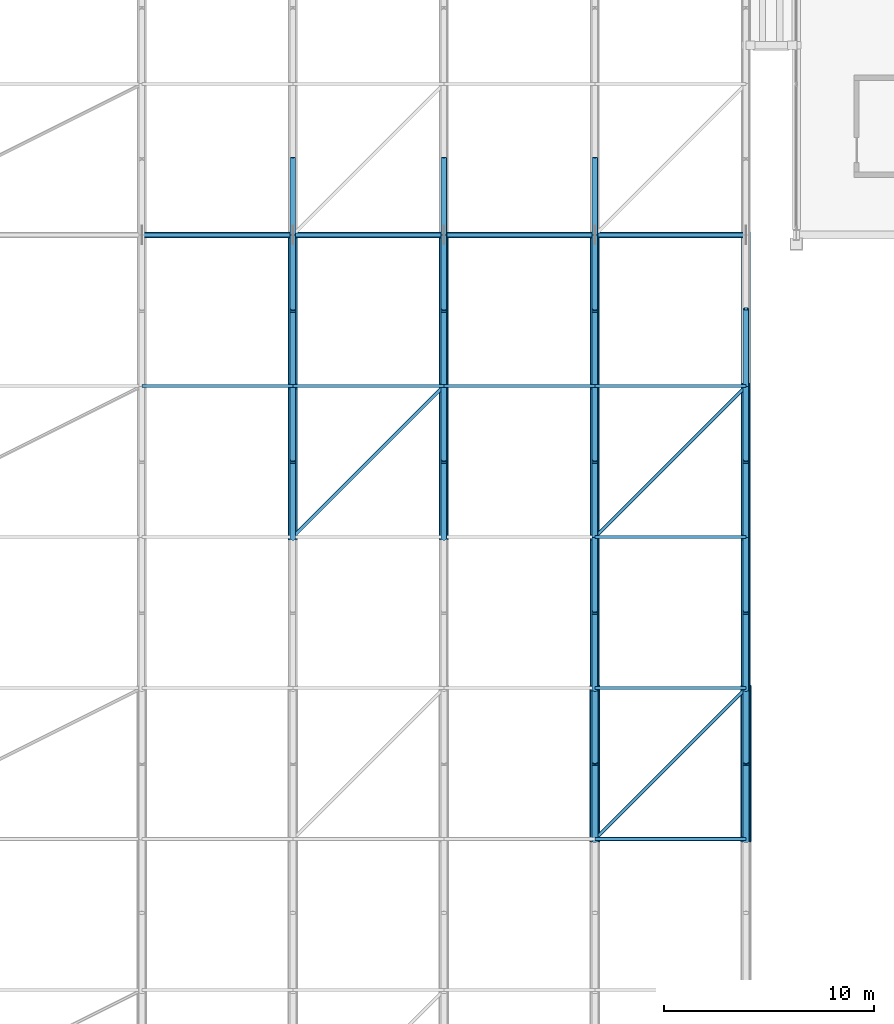
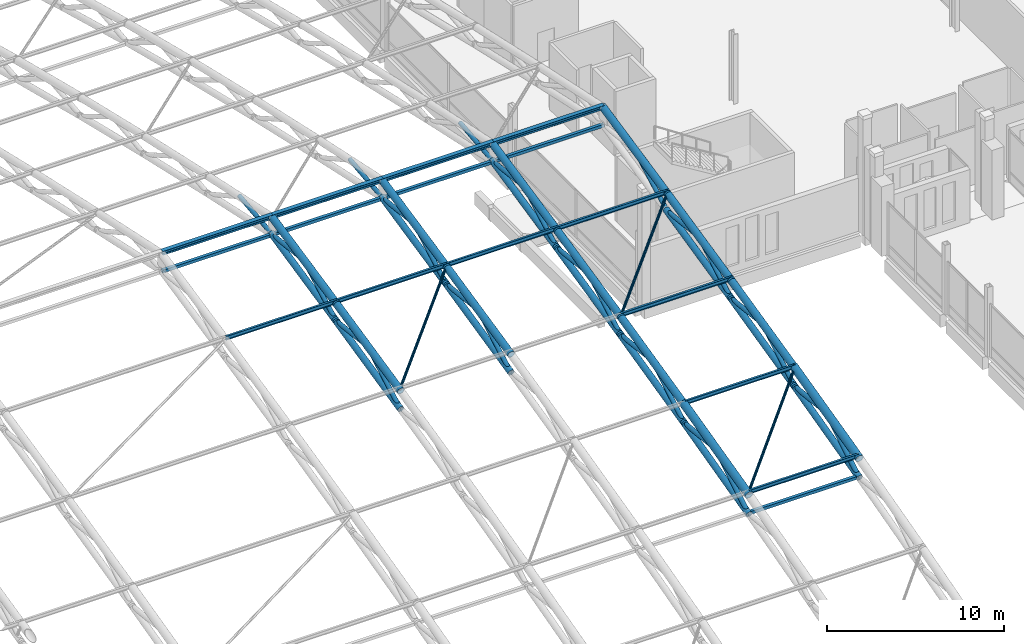
# One storey, part 47 of 193: 68 members.
"""IFC4 building model written with IfcOpenShell, lengths in metres."""

import ifcopenshell
import ifcopenshell.guid

model = None  # the IFC model being written
_history = None  # IfcOwnerHistory: only IFC2X3 demands one
_inside = {}  # id of a spatial element -> (the spatial element, [elements in it])
_under = {}  # id of a project, library or spatial element -> (it, [spatial elements below it])
_declared = {}  # id of a project -> (the project, [libraries it declares])
_typed = {}  # id of a type object -> (the type object, [elements of that type])
_made_of = {}  # id of a material, layer set ... -> (it, [elements and type objects made of it])


def new_model(schema):
    """Start an empty IFC model of exactly this schema.

    Asked for "IFC4X3", IfcOpenShell would pick the latest addendum, in which some entities
    have other attributes; the version numbers below select the first issue.
    IFC2X3 requires an IfcOwnerHistory on every rooted entity: one is made here for all.
    """
    global model, _history
    if schema == "IFC4X3":
        model = ifcopenshell.file(schema_version=(4, 3, 0, 0))
    else:
        model = ifcopenshell.file(schema=schema)
    _inside.clear()
    _under.clear()
    _declared.clear()
    _typed.clear()
    _made_of.clear()
    _history = None
    if model.schema == "IFC2X3":
        org = make("IfcOrganization", Name="unknown")
        user = make(
            "IfcPersonAndOrganization",
            ThePerson=make("IfcPerson", FamilyName="unknown"),
            TheOrganization=org,
        )
        app = make(
            "IfcApplication",
            ApplicationDeveloper=org,
            Version="unknown",
            ApplicationFullName="unknown",
            ApplicationIdentifier="unknown",
        )
        _history = make(
            "IfcOwnerHistory",
            OwningUser=user,
            OwningApplication=app,
            ChangeAction="ADDED",
            CreationDate=0,
        )
    return model


def make(cls, **values):
    """One entity of the class cls with the attributes given. An attribute that is None is left unset."""
    return model.create_entity(
        cls, **{name: value for name, value in values.items() if value is not None}
    )


def rooted(cls, **values):
    """An entity with a GlobalId (a new one), such as an element, a storey or a relation."""
    return make(cls, GlobalId=ifcopenshell.guid.new(), OwnerHistory=_history, **values)


def si_unit(unit_type, name, prefix=None):
    """IfcSIUnit, for example si_unit("LENGTHUNIT", "METRE", prefix="MILLI")."""
    return make("IfcSIUnit", UnitType=unit_type, Prefix=prefix, Name=name)


def assignment(units):
    """IfcUnitAssignment: the units of a project."""
    return None if units is None else make("IfcUnitAssignment", Units=units)


def point(xyz):
    """IfcCartesianPoint."""
    return None if xyz is None else make("IfcCartesianPoint", Coordinates=xyz)


def direction(xyz):
    """IfcDirection."""
    return None if xyz is None else make("IfcDirection", DirectionRatios=xyz)


def frame(location, z_axis=None, x_axis=None):
    """IfcAxis2Placement3D, a coordinate frame: its origin and axes. An axis left out is left unset."""
    return make(
        "IfcAxis2Placement3D",
        Location=point(location),
        Axis=direction(z_axis),
        RefDirection=direction(x_axis),
    )


def frame_2d(location, x_axis=None):
    """IfcAxis2Placement2D, a coordinate frame in the plane: its origin and x axis."""
    return make(
        "IfcAxis2Placement2D", Location=point(location), RefDirection=direction(x_axis)
    )


def origin():
    """The frame at (0, 0, 0) with its axes left unset."""
    return frame((0.0, 0.0, 0.0))


def origin_2d():
    """The frame at (0, 0) in the plane with its x axis left unset."""
    return frame_2d((0.0, 0.0))


def place(relative_to, where):
    """IfcLocalPlacement: puts the frame where relative to a parent placement (None: the world)."""
    return make(
        "IfcLocalPlacement", PlacementRelTo=relative_to, RelativePlacement=where
    )


def context(
    kind, dimensions, precision=None, world=None, true_north=None, identifier=None
):
    """IfcGeometricRepresentationContext, for example the 3D "Model" context."""
    return make(
        "IfcGeometricRepresentationContext",
        ContextIdentifier=identifier,
        ContextType=kind,
        CoordinateSpaceDimension=dimensions,
        Precision=precision,
        WorldCoordinateSystem=world,
        TrueNorth=true_north,
    )


def subcontext(parent, identifier, kind, view, scale=None):
    """IfcGeometricRepresentationSubContext, for example "Body" below "Model"."""
    return make(
        "IfcGeometricRepresentationSubContext",
        ContextIdentifier=identifier,
        ContextType=kind,
        ParentContext=parent,
        TargetScale=scale,
        TargetView=view,
    )


def project(units=None, contexts=None):
    """IfcProject with its units and contexts."""
    return rooted(
        "IfcProject",
        Name="project",
        RepresentationContexts=contexts,
        UnitsInContext=assignment(units),
    )


def spatial(cls, under=None, at=None, **own):
    """A site, building, storey or space (cls), placed at a placement, below another one or the project."""
    s = rooted(cls, ObjectPlacement=at, **own)
    if under is not None:
        _under.setdefault(under.id(), (under, []))[1].append(s)
    return s


def profile(cls, at=None, kind="AREA", **sizes):
    """A parametric profile (cls). Its sizes go by their IFC names, for example OverallWidth=200.0."""
    return make(cls, ProfileType=kind, Position=at, **sizes)


def hollow_rectangle(**sizes):
    """IfcRectangleHollowProfileDef."""
    return profile("IfcRectangleHollowProfileDef", **sizes)


def hollow_circle(**sizes):
    """IfcCircleHollowProfileDef."""
    return profile("IfcCircleHollowProfileDef", **sizes)


def i_section(**sizes):
    """IfcIShapeProfileDef."""
    return profile("IfcIShapeProfileDef", **sizes)


def extrude(swept, where, along, depth):
    """IfcExtrudedAreaSolid: the profile swept, set in the frame where, extruded along a direction by depth."""
    return make(
        "IfcExtrudedAreaSolid",
        SweptArea=swept,
        Position=where,
        ExtrudedDirection=direction(along),
        Depth=depth,
    )


def shape(context_of_items, identifier, shape_type, items):
    """IfcShapeRepresentation: the items that make up one representation, for example the "Body"."""
    return make(
        "IfcShapeRepresentation",
        ContextOfItems=context_of_items,
        RepresentationIdentifier=identifier,
        RepresentationType=shape_type,
        Items=items,
    )


def material(Name=None, Category=None):
    """IfcMaterial."""
    return make("IfcMaterial", Name=Name, Category=Category)


def material_profile(
    of_material, cross_section, Name=None, Category=None, Priority=None
):
    """IfcMaterialProfile: a cross section and its material."""
    return make(
        "IfcMaterialProfile",
        Name=Name,
        Material=of_material,
        Profile=cross_section,
        Priority=Priority,
        Category=Category,
    )


def profile_set(profiles, Name=None, composite=None):
    """IfcMaterialProfileSet."""
    return make(
        "IfcMaterialProfileSet",
        Name=Name,
        MaterialProfiles=profiles,
        CompositeProfile=composite,
    )


def made_of(thing, what):
    """Note that an element or type object is made of a material, layer set ...; save() writes the relation."""
    if what is not None:
        _made_of.setdefault(what.id(), (what, []))[1].append(thing)
    return thing


def type_object(cls, material=None, **own):
    """A type object (cls), such as IfcWallType, which elements share."""
    return made_of(rooted(cls, **own), material)


def element(
    cls,
    number,
    at=None,
    inside=None,
    cuts=None,
    type_object=None,
    material=None,
    context=None,
    identifier="Body",
    shape_type=None,
    held_by="IfcProductDefinitionShape",
    body=None,
    shapes=None,
    **own,
):
    """One element of the class cls, such as IfcWall. Its Tag is "e" and its number.

    at: its placement. inside: the storey or other place that contains it. cuts: it is an
    opening in that element (IfcRelVoidsElement). A single representation is given by context,
    identifier, shape_type and body (its items); several are given by shapes. held_by: the class
    of the entity that holds the representations. save() writes the other relations.
    """
    e = rooted(cls, Tag="e%d" % number, ObjectPlacement=at, **own)
    if body is not None:
        shapes = [shape(context, identifier, shape_type, body)]
    if shapes is not None:
        e.Representation = make(held_by, Representations=shapes)
    if inside is not None:
        _inside.setdefault(inside.id(), (inside, []))[1].append(e)
    if cuts is not None:
        rooted(
            "IfcRelVoidsElement", RelatingBuildingElement=cuts, RelatedOpeningElement=e
        )
    if type_object is not None:
        _typed.setdefault(type_object.id(), (type_object, []))[1].append(e)
    return made_of(e, material)


def aggregate(whole, parts):
    """IfcRelAggregates: a whole, such as a stair, and the parts it consists of."""
    return rooted("IfcRelAggregates", RelatingObject=whole, RelatedObjects=parts)


def save(model, path):
    """Write the relations noted so far, then the file.

    IfcRelAggregates (storeys below a building ...), IfcRelContainedInSpatialStructure (elements
    in a storey), IfcRelDefinesByType, IfcRelAssociatesMaterial and IfcRelDeclares: one each for
    every whole, place, type object, material and project.
    """
    for whole, parts in _under.values():
        aggregate(whole, parts)
    for where, things in _inside.values():
        rooted(
            "IfcRelContainedInSpatialStructure",
            RelatedElements=things,
            RelatingStructure=where,
        )
    for kind, things in _typed.values():
        rooted("IfcRelDefinesByType", RelatedObjects=things, RelatingType=kind)
    for what, things in _made_of.values():
        rooted("IfcRelAssociatesMaterial", RelatedObjects=things, RelatingMaterial=what)
    for by, libraries in _declared.values():
        rooted("IfcRelDeclares", RelatingContext=by, RelatedDefinitions=libraries)
    model.write(path)


model = new_model("IFC4")

# Units and contexts
model_context = context("Model", 3, precision=1e-05, world=origin(), true_north=direction((0.0, 1.0)))
body_context = subcontext(model_context, "Body", "Model", "MODEL_VIEW")
ifc_project = project(units=[si_unit("LENGTHUNIT", "METRE"), si_unit("AREAUNIT", "SQUARE_METRE"), si_unit("VOLUMEUNIT", "CUBIC_METRE"), si_unit("PLANEANGLEUNIT", "RADIAN"), si_unit("MASSUNIT", "GRAM", prefix="KILO")], contexts=[model_context])

# Site, building, storey
site_placement = place(None, origin())
site = spatial("IfcSite", under=ifc_project, at=site_placement, CompositionType="ELEMENT")
building_placement = place(site_placement, origin())
building = spatial("IfcBuilding", under=site, at=building_placement, Name="Cendralis Lancet Convention Centre", CompositionType="ELEMENT")
storey_placement = place(building_placement, frame((0.0, 0.0, 10.199951171875)))
storey = spatial("IfcBuildingStorey", under=building, at=storey_placement, Name="L02", CompositionType="ELEMENT", Elevation=10.199951171875)

# Members
ifc_material = material(Name="Steel S355", Category="steel")
ifc_material_profile_1 = material_profile(ifc_material, hollow_circle(Radius=0.084228515625, WallThickness=0.008056640625, at=origin_2d()), Name="CHS 168.3x8.0")
ifc_profile_set_1 = profile_set([ifc_material_profile_1], Name="Steel S355")
member_type_1 = type_object("IfcMemberType", Name="STR-BR-RB01", PredefinedType="BRACE", material=ifc_profile_set_1)
member_1_placement = place(storey_placement, frame((100.800048828125, 79.199951171875, 11.056884765625), z_axis=(0.698500909513, 0.698500909513, 0.155540859), x_axis=(-0.707106781187, 0.707106781187, 0.0)))
element("IfcMember", 1, at=member_1_placement, inside=storey, type_object=member_type_1, Name="Roof Diaphragm Brace RB01 V1-11-04A", PredefinedType="BRACE", context=body_context, shape_type="SweptSolid", body=[
    extrude(hollow_circle(Radius=0.084228515625, WallThickness=0.008056640625, at=origin_2d()), origin(), (0.0, 0.0, 1.0), 10.3076171875),
])
member_2_placement = place(storey_placement, frame((115.199951171875, 64.800048828125, 7.576416015625), z_axis=(0.696392758522, 0.696392758522, 0.173419294652), x_axis=(-0.707106781187, 0.707106781187, 0.0)))
element("IfcMember", 2, at=member_2_placement, inside=storey, type_object=member_type_1, Name="Roof Diaphragm Brace RB01 V1-13-02A", PredefinedType="BRACE", context=body_context, shape_type="SweptSolid", body=[
    extrude(hollow_circle(Radius=0.084228515625, WallThickness=0.008056640625, at=origin_2d()), origin(), (0.0, 0.0, 1.0), 10.3388671875),
])
member_3_placement = place(storey_placement, frame((115.199951171875, 79.199951171875, 11.056884765625), z_axis=(0.698500909513, 0.698500909513, 0.155540859), x_axis=(-0.707106781187, 0.707106781187, 0.0)))
element("IfcMember", 3, at=member_3_placement, inside=storey, type_object=member_type_1, Name="Roof Diaphragm Brace RB01 V1-13-04A", PredefinedType="BRACE", context=body_context, shape_type="SweptSolid", body=[
    extrude(hollow_circle(Radius=0.084228515625, WallThickness=0.008056640625, at=origin_2d()), origin(), (0.0, 0.0, 1.0), 10.3076171875),
])
ifc_material_profile_2 = material_profile(ifc_material, hollow_rectangle(XDim=0.199951171875, YDim=0.199951171875, WallThickness=0.010009765625, at=origin_2d()), Name="SHS 200x200x10.0")
ifc_profile_set_2 = profile_set([ifc_material_profile_2], Name="Steel S355")
member_type_2 = type_object("IfcMemberType", Name="STR-BR-ST01", PredefinedType="STRUT", material=ifc_profile_set_2)
for number, where, z_axis, x_axis, name in (
    (4, (93.60009765625, 93.60009765625, 13.024169921875), (1.0, 0.0, 0.0), (0.0, 1.0, 0.0), "Arch Tie Strut ST01 V1-10-06"),
    (5, (100.800048828125, 93.60009765625, 13.024169921875), (1.0, 0.0, 0.0), (0.0, 1.0, 0.0), "Arch Tie Strut ST01 V1-11-06"),
    (6, (108.0, 93.60009765625, 13.024169921875), (1.0, 0.0, 0.0), (0.0, 1.0, 0.0), "Arch Tie Strut ST01 V1-12-06"),
    (7, (115.199951171875, 64.800048828125, 6.2509765625), (1.0, 0.0, 0.0), (0.0, 1.0, 0.0), "Arch Tie Strut ST01 V1-13-02"),
    (8, (115.199951171875, 93.60009765625, 13.024169921875), (1.0, 0.0, 0.0), (0.0, 1.0, 0.0), "Arch Tie Strut ST01 V1-13-06"),
):
    element("IfcMember", number, at=place(storey_placement, frame(where, z_axis=z_axis, x_axis=x_axis)), inside=storey, type_object=member_type_2, Name=name, PredefinedType="STRUT", context=body_context, shape_type="SweptSolid", body=[
        extrude(hollow_rectangle(XDim=0.199951171875, YDim=0.199951171875, WallThickness=0.010009765625, at=origin_2d()), origin(), (0.0, 0.0, 1.0), 7.199951171875),
    ])
ifc_material_profile_3 = material_profile(ifc_material, i_section(OverallWidth=0.135009765625, OverallDepth=0.27001953125, WebThickness=0.006591796875, FlangeThickness=0.01025390625, FilletRadius=0.014892578125, at=origin_2d()), Name="IPE 270")
ifc_profile_set_3 = profile_set([ifc_material_profile_3], Name="Steel S355")
member_type_3 = type_object("IfcMemberType", Name="STR-PR-PR01", PredefinedType="PURLIN", material=ifc_profile_set_3)
for number, where, z_axis, x_axis, name in (
    (9, (93.60009765625, 86.39990234375, 12.775146484375), (1.0, 0.0, 0.0), (0.0, 1.0, 0.0), "Vault Roof Purlin PR01 V1-10-05"),
    (10, (100.800048828125, 86.39990234375, 12.775146484375), (1.0, 0.0, 0.0), (0.0, 1.0, 0.0), "Vault Roof Purlin PR01 V1-11-05"),
    (11, (108.0, 86.39990234375, 12.775146484375), (1.0, 0.0, 0.0), (0.0, 1.0, 0.0), "Vault Roof Purlin PR01 V1-12-05"),
    (12, (115.199951171875, 64.800048828125, 7.69140625), (1.0, 0.0, 0.0), (0.0, 1.0, 0.0), "Vault Roof Purlin PR01 V1-13-02"),
    (13, (115.199951171875, 72.0, 9.484375), (1.0, 0.0, 0.0), (0.0, 1.0, 0.0), "Vault Roof Purlin PR01 V1-13-03"),
    (14, (115.199951171875, 79.199951171875, 11.171875), (1.0, 0.0, 0.0), (0.0, 1.0, 0.0), "Vault Roof Purlin PR01 V1-13-04"),
    (15, (115.199951171875, 86.39990234375, 12.775146484375), (1.0, 0.0, 0.0), (0.0, 1.0, 0.0), "Vault Roof Purlin PR01 V1-13-05"),
):
    element("IfcMember", number, at=place(storey_placement, frame(where, z_axis=z_axis, x_axis=x_axis)), inside=storey, type_object=member_type_3, Name=name, PredefinedType="PURLIN", context=body_context, shape_type="SweptSolid", body=[
        extrude(i_section(OverallWidth=0.135009765625, OverallDepth=0.27001953125, WebThickness=0.006591796875, FlangeThickness=0.01025390625, FilletRadius=0.014892578125, at=origin_2d()), origin(), (0.0, 0.0, 1.0), 7.199951171875),
    ])
ifc_material_profile_4 = material_profile(ifc_material, i_section(OverallWidth=0.280029296875, OverallDepth=0.27001953125, WebThickness=0.008056640625, FlangeThickness=0.012939453125, FilletRadius=0.02392578125, at=origin_2d()), Name="HEA 280")
ifc_profile_set_4 = profile_set([ifc_material_profile_4], Name="Steel S355")
member_type_4 = type_object("IfcMemberType", Name="STR-PR-PR06", PredefinedType="PURLIN", material=ifc_profile_set_4)
for number, where, z_axis, x_axis, name in (
    (16, (93.60009765625, 93.60009765625, 14.31494140625), (1.0, 0.0, 0.0), (0.0, 1.0, 0.0), "Vault Roof Purlin PR06 V1-10-06"),
    (17, (100.800048828125, 93.60009765625, 14.31494140625), (1.0, 0.0, 0.0), (0.0, 1.0, 0.0), "Vault Roof Purlin PR06 V1-11-06"),
    (18, (108.0, 93.60009765625, 14.31494140625), (1.0, 0.0, 0.0), (0.0, 1.0, 0.0), "Vault Roof Purlin PR06 V1-12-06"),
    (19, (115.199951171875, 93.60009765625, 14.31494140625), (1.0, 0.0, 0.0), (0.0, 1.0, 0.0), "Vault Roof Purlin PR06 V1-13-06"),
):
    element("IfcMember", number, at=place(storey_placement, frame(where, z_axis=z_axis, x_axis=x_axis)), inside=storey, type_object=member_type_4, Name=name, PredefinedType="PURLIN", context=body_context, shape_type="SweptSolid", body=[
        extrude(i_section(OverallWidth=0.280029296875, OverallDepth=0.27001953125, WebThickness=0.008056640625, FlangeThickness=0.012939453125, FilletRadius=0.02392578125, at=origin_2d()), origin(), (0.0, 0.0, 1.0), 7.199951171875),
    ])
ifc_material_profile_5 = material_profile(ifc_material, hollow_circle(Radius=0.203125, WallThickness=0.01611328125, at=origin_2d()), Name="CHS 406.4x16.0")
ifc_profile_set_5 = profile_set([ifc_material_profile_5], Name="Steel S355")
member_type_5 = type_object("IfcMemberType", Name="STR-TR-BC01", PredefinedType="CHORD", material=ifc_profile_set_5)
member_4_placement = place(storey_placement, frame((122.39990234375, 64.68359375, 6.221435546875), z_axis=(0.0, 0.969168531094, 0.246398779092), x_axis=(-1.0, 0.0, 0.0)))
element("IfcMember", 20, at=member_4_placement, inside=storey, type_object=member_type_5, Name="ROOF TRUSS AT-V1-15 Bottom Chord 02", PredefinedType="CHORD", context=body_context, shape_type="SweptSolid", body=[
    extrude(hollow_circle(Radius=0.203125, WallThickness=0.01611328125, at=origin_2d()), origin(), (0.0, 0.0, 1.0), 7.6689453125),
])
member_5_placement = place(storey_placement, frame((122.39990234375, 71.88330078125, 8.053466796875), z_axis=(0.0, 0.97248347478, 0.232971868002), x_axis=(-1.0, 0.0, 0.0)))
element("IfcMember", 21, at=member_5_placement, inside=storey, type_object=member_type_5, Name="ROOF TRUSS AT-V1-15 Bottom Chord 03", PredefinedType="CHORD", context=body_context, shape_type="SweptSolid", body=[
    extrude(hollow_circle(Radius=0.203125, WallThickness=0.01611328125, at=origin_2d()), origin(), (0.0, 0.0, 1.0), 7.643798828125),
])
member_6_placement = place(storey_placement, frame((122.39990234375, 79.0830078125, 9.779541015625), z_axis=(0.0, 0.975004361287, 0.222185722922), x_axis=(-1.0, 0.0, 0.0)))
element("IfcMember", 22, at=member_6_placement, inside=storey, type_object=member_type_5, Name="ROOF TRUSS AT-V1-15 Bottom Chord 04", PredefinedType="CHORD", context=body_context, shape_type="SweptSolid", body=[
    extrude(hollow_circle(Radius=0.203125, WallThickness=0.01611328125, at=origin_2d()), origin(), (0.0, 0.0, 1.0), 7.624755859375),
])
ifc_material_profile_6 = material_profile(ifc_material, hollow_circle(Radius=0.203125, WallThickness=0.01611328125, at=origin_2d()), Name="CHS 406.4x16.0")
ifc_profile_set_6 = profile_set([ifc_material_profile_6], Name="Steel S355")
member_type_6 = type_object("IfcMemberType", Name="STR-TR-BC01-INT", PredefinedType="CHORD", material=ifc_profile_set_6)
member_7_placement = place(storey_placement, frame((100.800048828125, 79.0830078125, 9.779541015625), z_axis=(0.0, 0.975004361287, 0.222185722922), x_axis=(-1.0, 0.0, 0.0)))
element("IfcMember", 23, at=member_7_placement, inside=storey, type_object=member_type_6, Name="ROOF TRUSS AT-V1-12 Bottom Chord 04", PredefinedType="CHORD", context=body_context, shape_type="SweptSolid", body=[
    extrude(hollow_circle(Radius=0.203125, WallThickness=0.01611328125, at=origin_2d()), origin(), (0.0, 0.0, 1.0), 7.624755859375),
])
member_8_placement = place(storey_placement, frame((100.800048828125, 86.28271484375, 11.421142578125), z_axis=(0.0, 0.976835518251, 0.213991519186), x_axis=(-1.0, 0.0, 0.0)))
element("IfcMember", 24, at=member_8_placement, inside=storey, type_object=member_type_6, Name="ROOF TRUSS AT-V1-12 Bottom Chord 05", PredefinedType="CHORD", context=body_context, shape_type="SweptSolid", body=[
    extrude(hollow_circle(Radius=0.203125, WallThickness=0.01611328125, at=origin_2d()), origin(), (0.0, 0.0, 1.0), 7.61083984375),
])
member_9_placement = place(storey_placement, frame((108.0, 79.0830078125, 9.779541015625), z_axis=(0.0, 0.975004361287, 0.222185722922), x_axis=(-1.0, 0.0, 0.0)))
element("IfcMember", 25, at=member_9_placement, inside=storey, type_object=member_type_6, Name="ROOF TRUSS AT-V1-13 Bottom Chord 04", PredefinedType="CHORD", context=body_context, shape_type="SweptSolid", body=[
    extrude(hollow_circle(Radius=0.203125, WallThickness=0.01611328125, at=origin_2d()), origin(), (0.0, 0.0, 1.0), 7.624755859375),
])
member_10_placement = place(storey_placement, frame((108.0, 86.28271484375, 11.421142578125), z_axis=(0.0, 0.976835518251, 0.213991519186), x_axis=(-1.0, 0.0, 0.0)))
element("IfcMember", 26, at=member_10_placement, inside=storey, type_object=member_type_6, Name="ROOF TRUSS AT-V1-13 Bottom Chord 05", PredefinedType="CHORD", context=body_context, shape_type="SweptSolid", body=[
    extrude(hollow_circle(Radius=0.203125, WallThickness=0.01611328125, at=origin_2d()), origin(), (0.0, 0.0, 1.0), 7.61083984375),
])
member_11_placement = place(storey_placement, frame((115.199951171875, 64.68359375, 6.221435546875), z_axis=(0.0, 0.969168531094, 0.246398779092), x_axis=(-1.0, 0.0, 0.0)))
element("IfcMember", 27, at=member_11_placement, inside=storey, type_object=member_type_6, Name="ROOF TRUSS AT-V1-14 Bottom Chord 02", PredefinedType="CHORD", context=body_context, shape_type="SweptSolid", body=[
    extrude(hollow_circle(Radius=0.203125, WallThickness=0.01611328125, at=origin_2d()), origin(), (0.0, 0.0, 1.0), 7.6689453125),
])
member_12_placement = place(storey_placement, frame((115.199951171875, 71.88330078125, 8.053466796875), z_axis=(0.0, 0.97248347478, 0.232971868002), x_axis=(-1.0, 0.0, 0.0)))
element("IfcMember", 28, at=member_12_placement, inside=storey, type_object=member_type_6, Name="ROOF TRUSS AT-V1-14 Bottom Chord 03", PredefinedType="CHORD", context=body_context, shape_type="SweptSolid", body=[
    extrude(hollow_circle(Radius=0.203125, WallThickness=0.01611328125, at=origin_2d()), origin(), (0.0, 0.0, 1.0), 7.643798828125),
])
member_13_placement = place(storey_placement, frame((115.199951171875, 79.0830078125, 9.779541015625), z_axis=(0.0, 0.975004361287, 0.222185722922), x_axis=(-1.0, 0.0, 0.0)))
element("IfcMember", 29, at=member_13_placement, inside=storey, type_object=member_type_6, Name="ROOF TRUSS AT-V1-14 Bottom Chord 04", PredefinedType="CHORD", context=body_context, shape_type="SweptSolid", body=[
    extrude(hollow_circle(Radius=0.203125, WallThickness=0.01611328125, at=origin_2d()), origin(), (0.0, 0.0, 1.0), 7.624755859375),
])
member_14_placement = place(storey_placement, frame((115.199951171875, 86.28271484375, 11.421142578125), z_axis=(0.0, 0.976835518251, 0.213991519186), x_axis=(-1.0, 0.0, 0.0)))
element("IfcMember", 30, at=member_14_placement, inside=storey, type_object=member_type_6, Name="ROOF TRUSS AT-V1-14 Bottom Chord 05", PredefinedType="CHORD", context=body_context, shape_type="SweptSolid", body=[
    extrude(hollow_circle(Radius=0.203125, WallThickness=0.01611328125, at=origin_2d()), origin(), (0.0, 0.0, 1.0), 7.61083984375),
])
ifc_material_profile_7 = material_profile(ifc_material, hollow_circle(Radius=0.25390625, WallThickness=0.02001953125, at=origin_2d()), Name="CHS 508.0x20.0")
ifc_profile_set_7 = profile_set([ifc_material_profile_7], Name="Steel S355")
member_type_7 = type_object("IfcMemberType", Name="STR-TR-TC01", PredefinedType="CHORD", material=ifc_profile_set_7)
member_15_placement = place(storey_placement, frame((122.39990234375, 64.68359375, 7.54736328125), z_axis=(0.0, 0.97036146187, 0.241658091769), x_axis=(-1.0, 0.0, 0.0)))
element("IfcMember", 31, at=member_15_placement, inside=storey, type_object=member_type_7, Name="ROOF TRUSS AT-V1-15 Top Chord 02", PredefinedType="CHORD", context=body_context, shape_type="SweptSolid", body=[
    extrude(hollow_circle(Radius=0.25390625, WallThickness=0.02001953125, at=origin_2d()), origin(), (0.0, 0.0, 1.0), 7.659912109375),
])
ifc_material_profile_8 = material_profile(ifc_material, hollow_circle(Radius=0.25390625, WallThickness=0.02001953125, at=origin_2d()), Name="CHS 508.0x20.0")
ifc_profile_set_8 = profile_set([ifc_material_profile_8], Name="Steel S355")
member_type_8 = type_object("IfcMemberType", Name="STR-TR-TC01-INT", PredefinedType="CHORD", material=ifc_profile_set_8)
member_16_placement = place(storey_placement, frame((115.199951171875, 64.68359375, 7.54736328125), z_axis=(0.0, 0.97036146187, 0.241658091769), x_axis=(-1.0, 0.0, 0.0)))
element("IfcMember", 32, at=member_16_placement, inside=storey, type_object=member_type_8, Name="ROOF TRUSS AT-V1-14 Top Chord 02", PredefinedType="CHORD", context=body_context, shape_type="SweptSolid", body=[
    extrude(hollow_circle(Radius=0.25390625, WallThickness=0.02001953125, at=origin_2d()), origin(), (0.0, 0.0, 1.0), 7.659912109375),
])
ifc_material_profile_9 = material_profile(ifc_material, hollow_circle(Radius=0.228515625, WallThickness=0.02001953125, at=origin_2d()), Name="CHS 457.0x20.0")
ifc_profile_set_9 = profile_set([ifc_material_profile_9], Name="Steel S355")
member_type_9 = type_object("IfcMemberType", Name="STR-TR-TC01B", PredefinedType="CHORD", material=ifc_profile_set_9)
member_17_placement = place(storey_placement, frame((122.39990234375, 71.88330078125, 9.342041015625), z_axis=(0.0, 0.973618086595, 0.22818374494), x_axis=(-1.0, 0.0, 0.0)))
element("IfcMember", 33, at=member_17_placement, inside=storey, type_object=member_type_9, Name="ROOF TRUSS AT-V1-15 Top Chord 03", PredefinedType="CHORD", context=body_context, shape_type="SweptSolid", body=[
    extrude(hollow_circle(Radius=0.228515625, WallThickness=0.02001953125, at=origin_2d()), origin(), (0.0, 0.0, 1.0), 7.635009765625),
])
member_18_placement = place(storey_placement, frame((122.39990234375, 79.0830078125, 11.03076171875), z_axis=(0.0, 0.976089664154, 0.217368276277), x_axis=(-1.0, 0.0, 0.0)))
element("IfcMember", 34, at=member_18_placement, inside=storey, type_object=member_type_9, Name="ROOF TRUSS AT-V1-15 Top Chord 04", PredefinedType="CHORD", context=body_context, shape_type="SweptSolid", body=[
    extrude(hollow_circle(Radius=0.228515625, WallThickness=0.02001953125, at=origin_2d()), origin(), (0.0, 0.0, 1.0), 7.6162109375),
])
member_19_placement = place(storey_placement, frame((122.39990234375, 86.28271484375, 12.635009765625), z_axis=(0.0, 0.97788410853, 0.209147484528), x_axis=(-1.0, 0.0, 0.0)))
element("IfcMember", 35, at=member_19_placement, inside=storey, type_object=member_type_9, Name="ROOF TRUSS AT-V1-15 Top Chord 05", PredefinedType="CHORD", context=body_context, shape_type="SweptSolid", body=[
    extrude(hollow_circle(Radius=0.228515625, WallThickness=0.02001953125, at=origin_2d()), origin(), (0.0, 0.0, 1.0), 7.602783203125),
])
ifc_material_profile_10 = material_profile(ifc_material, hollow_circle(Radius=0.228515625, WallThickness=0.02001953125, at=origin_2d()), Name="CHS 457.0x20.0")
ifc_profile_set_10 = profile_set([ifc_material_profile_10], Name="Steel S355")
member_type_10 = type_object("IfcMemberType", Name="STR-TR-TC01B-INT", PredefinedType="CHORD", material=ifc_profile_set_10)
member_20_placement = place(storey_placement, frame((100.800048828125, 79.0830078125, 11.03076171875), z_axis=(0.0, 0.976089664154, 0.217368276277), x_axis=(-1.0, 0.0, 0.0)))
element("IfcMember", 36, at=member_20_placement, inside=storey, type_object=member_type_10, Name="ROOF TRUSS AT-V1-12 Top Chord 04", PredefinedType="CHORD", context=body_context, shape_type="SweptSolid", body=[
    extrude(hollow_circle(Radius=0.228515625, WallThickness=0.02001953125, at=origin_2d()), origin(), (0.0, 0.0, 1.0), 7.6162109375),
])
member_21_placement = place(storey_placement, frame((100.800048828125, 86.28271484375, 12.635009765625), z_axis=(0.0, 0.97788410853, 0.209147484528), x_axis=(-1.0, 0.0, 0.0)))
element("IfcMember", 37, at=member_21_placement, inside=storey, type_object=member_type_10, Name="ROOF TRUSS AT-V1-12 Top Chord 05", PredefinedType="CHORD", context=body_context, shape_type="SweptSolid", body=[
    extrude(hollow_circle(Radius=0.228515625, WallThickness=0.02001953125, at=origin_2d()), origin(), (0.0, 0.0, 1.0), 7.602783203125),
])
member_22_placement = place(storey_placement, frame((108.0, 79.0830078125, 11.03076171875), z_axis=(0.0, 0.976089664154, 0.217368276277), x_axis=(-1.0, 0.0, 0.0)))
element("IfcMember", 38, at=member_22_placement, inside=storey, type_object=member_type_10, Name="ROOF TRUSS AT-V1-13 Top Chord 04", PredefinedType="CHORD", context=body_context, shape_type="SweptSolid", body=[
    extrude(hollow_circle(Radius=0.228515625, WallThickness=0.02001953125, at=origin_2d()), origin(), (0.0, 0.0, 1.0), 7.6162109375),
])
member_23_placement = place(storey_placement, frame((108.0, 86.28271484375, 12.635009765625), z_axis=(0.0, 0.97788410853, 0.209147484528), x_axis=(-1.0, 0.0, 0.0)))
element("IfcMember", 39, at=member_23_placement, inside=storey, type_object=member_type_10, Name="ROOF TRUSS AT-V1-13 Top Chord 05", PredefinedType="CHORD", context=body_context, shape_type="SweptSolid", body=[
    extrude(hollow_circle(Radius=0.228515625, WallThickness=0.02001953125, at=origin_2d()), origin(), (0.0, 0.0, 1.0), 7.602783203125),
])
member_24_placement = place(storey_placement, frame((115.199951171875, 71.88330078125, 9.342041015625), z_axis=(0.0, 0.973618086595, 0.22818374494), x_axis=(-1.0, 0.0, 0.0)))
element("IfcMember", 40, at=member_24_placement, inside=storey, type_object=member_type_10, Name="ROOF TRUSS AT-V1-14 Top Chord 03", PredefinedType="CHORD", context=body_context, shape_type="SweptSolid", body=[
    extrude(hollow_circle(Radius=0.228515625, WallThickness=0.02001953125, at=origin_2d()), origin(), (0.0, 0.0, 1.0), 7.635009765625),
])
member_25_placement = place(storey_placement, frame((115.199951171875, 79.0830078125, 11.03076171875), z_axis=(0.0, 0.976089664154, 0.217368276277), x_axis=(-1.0, 0.0, 0.0)))
element("IfcMember", 41, at=member_25_placement, inside=storey, type_object=member_type_10, Name="ROOF TRUSS AT-V1-14 Top Chord 04", PredefinedType="CHORD", context=body_context, shape_type="SweptSolid", body=[
    extrude(hollow_circle(Radius=0.228515625, WallThickness=0.02001953125, at=origin_2d()), origin(), (0.0, 0.0, 1.0), 7.6162109375),
])
member_26_placement = place(storey_placement, frame((115.199951171875, 86.28271484375, 12.635009765625), z_axis=(0.0, 0.97788410853, 0.209147484528), x_axis=(-1.0, 0.0, 0.0)))
element("IfcMember", 42, at=member_26_placement, inside=storey, type_object=member_type_10, Name="ROOF TRUSS AT-V1-14 Top Chord 05", PredefinedType="CHORD", context=body_context, shape_type="SweptSolid", body=[
    extrude(hollow_circle(Radius=0.228515625, WallThickness=0.02001953125, at=origin_2d()), origin(), (0.0, 0.0, 1.0), 7.602783203125),
])
ifc_material_profile_11 = material_profile(ifc_material, hollow_circle(Radius=0.149169921875, WallThickness=0.012451171875, at=origin_2d()), Name="CHS 298.5x12.5")
ifc_profile_set_11 = profile_set([ifc_material_profile_11], Name="Steel S355")
member_type_11 = type_object("IfcMemberType", Name="STR-TR-WD01", PredefinedType="BRACE", material=ifc_profile_set_11)
member_27_placement = place(storey_placement, frame((122.39990234375, 64.71484375, 6.198486328125), z_axis=(0.0, 0.850978373815, 0.525200730482), x_axis=(-1.0, 0.0, 0.0)))
element("IfcMember", 43, at=member_27_placement, inside=storey, type_object=member_type_11, Name="ROOF TRUSS AT-V1-15 Warren Web 02-0", PredefinedType="BRACE", context=body_context, shape_type="SweptSolid", body=[
    extrude(hollow_circle(Radius=0.149169921875, WallThickness=0.012451171875, at=origin_2d()), origin(), (0.0, 0.0, 1.0), 4.430419921875),
])
member_28_placement = place(storey_placement, frame((122.39990234375, 68.300537109375, 8.483642578125), z_axis=(0.0, 0.994139687453, -0.108103107402), x_axis=(-1.0, 0.0, 0.0)))
element("IfcMember", 44, at=member_28_placement, inside=storey, type_object=member_type_11, Name="ROOF TRUSS AT-V1-15 Warren Web 02-1", PredefinedType="BRACE", context=body_context, shape_type="SweptSolid", body=[
    extrude(hollow_circle(Radius=0.149169921875, WallThickness=0.012451171875, at=origin_2d()), origin(), (0.0, 0.0, 1.0), 3.8212890625),
])
ifc_material_profile_12 = material_profile(ifc_material, hollow_circle(Radius=0.149169921875, WallThickness=0.012451171875, at=origin_2d()), Name="CHS 298.5x12.5")
ifc_profile_set_12 = profile_set([ifc_material_profile_12], Name="Steel S355")
member_type_12 = type_object("IfcMemberType", Name="STR-TR-WD01-INT", PredefinedType="BRACE", material=ifc_profile_set_12)
member_29_placement = place(storey_placement, frame((115.199951171875, 64.71484375, 6.198486328125), z_axis=(0.0, 0.850978373815, 0.525200730482), x_axis=(-1.0, 0.0, 0.0)))
element("IfcMember", 45, at=member_29_placement, inside=storey, type_object=member_type_12, Name="ROOF TRUSS AT-V1-14 Warren Web 02-0", PredefinedType="BRACE", context=body_context, shape_type="SweptSolid", body=[
    extrude(hollow_circle(Radius=0.149169921875, WallThickness=0.012451171875, at=origin_2d()), origin(), (0.0, 0.0, 1.0), 4.430419921875),
])
member_30_placement = place(storey_placement, frame((115.199951171875, 68.300537109375, 8.483642578125), z_axis=(0.0, 0.994139687453, -0.108103107402), x_axis=(-1.0, 0.0, 0.0)))
element("IfcMember", 46, at=member_30_placement, inside=storey, type_object=member_type_12, Name="ROOF TRUSS AT-V1-14 Warren Web 02-1", PredefinedType="BRACE", context=body_context, shape_type="SweptSolid", body=[
    extrude(hollow_circle(Radius=0.149169921875, WallThickness=0.012451171875, at=origin_2d()), origin(), (0.0, 0.0, 1.0), 3.8212890625),
])
ifc_material_profile_13 = material_profile(ifc_material, hollow_circle(Radius=0.136474609375, WallThickness=0.012451171875, at=origin_2d()), Name="CHS 273.0x12.5")
ifc_profile_set_13 = profile_set([ifc_material_profile_13], Name="Steel S355")
member_type_13 = type_object("IfcMemberType", Name="STR-TR-WD01B", PredefinedType="BRACE", material=ifc_profile_set_13)
member_31_placement = place(storey_placement, frame((122.39990234375, 71.9140625, 8.030517578125), z_axis=(0.0, 0.860451614668, 0.509532156802), x_axis=(-1.0, 0.0, 0.0)))
element("IfcMember", 47, at=member_31_placement, inside=storey, type_object=member_type_13, Name="ROOF TRUSS AT-V1-15 Warren Web 03-0", PredefinedType="BRACE", context=body_context, shape_type="SweptSolid", body=[
    extrude(hollow_circle(Radius=0.136474609375, WallThickness=0.012451171875, at=origin_2d()), origin(), (0.0, 0.0, 1.0), 4.3837890625),
])
member_32_placement = place(storey_placement, frame((122.39990234375, 75.50048828125, 10.224365234375), z_axis=(0.0, 0.993677994269, -0.112267732257), x_axis=(-1.0, 0.0, 0.0)))
element("IfcMember", 48, at=member_32_placement, inside=storey, type_object=member_type_13, Name="ROOF TRUSS AT-V1-15 Warren Web 03-1", PredefinedType="BRACE", context=body_context, shape_type="SweptSolid", body=[
    extrude(hollow_circle(Radius=0.136474609375, WallThickness=0.012451171875, at=origin_2d()), origin(), (0.0, 0.0, 1.0), 3.822998046875),
])
member_33_placement = place(storey_placement, frame((122.39990234375, 79.113037109375, 9.7568359375), z_axis=(0.0, 0.86877872096, 0.495200498795), x_axis=(-1.0, 0.0, 0.0)))
element("IfcMember", 49, at=member_33_placement, inside=storey, type_object=member_type_13, Name="ROOF TRUSS AT-V1-15 Warren Web 04-0", PredefinedType="BRACE", context=body_context, shape_type="SweptSolid", body=[
    extrude(hollow_circle(Radius=0.136474609375, WallThickness=0.012451171875, at=origin_2d()), origin(), (0.0, 0.0, 1.0), 4.343994140625),
])
member_34_placement = place(storey_placement, frame((122.39990234375, 82.70068359375, 11.869873046875), z_axis=(0.0, 0.993527526481, -0.113591611157), x_axis=(-1.0, 0.0, 0.0)))
element("IfcMember", 50, at=member_34_placement, inside=storey, type_object=member_type_13, Name="ROOF TRUSS AT-V1-15 Warren Web 04-1", PredefinedType="BRACE", context=body_context, shape_type="SweptSolid", body=[
    extrude(hollow_circle(Radius=0.136474609375, WallThickness=0.012451171875, at=origin_2d()), origin(), (0.0, 0.0, 1.0), 3.823486328125),
])
member_35_placement = place(storey_placement, frame((122.39990234375, 86.3125, 11.3984375), z_axis=(0.0, 0.875872457449, 0.48254268027), x_axis=(-1.0, 0.0, 0.0)))
element("IfcMember", 51, at=member_35_placement, inside=storey, type_object=member_type_13, Name="ROOF TRUSS AT-V1-15 Warren Web 05-0", PredefinedType="BRACE", context=body_context, shape_type="SweptSolid", body=[
    extrude(hollow_circle(Radius=0.136474609375, WallThickness=0.012451171875, at=origin_2d()), origin(), (0.0, 0.0, 1.0), 4.31005859375),
])
ifc_material_profile_14 = material_profile(ifc_material, hollow_circle(Radius=0.136474609375, WallThickness=0.012451171875, at=origin_2d()), Name="CHS 273.0x12.5")
ifc_profile_set_14 = profile_set([ifc_material_profile_14], Name="Steel S355")
member_type_14 = type_object("IfcMemberType", Name="STR-TR-WD01B-INT", PredefinedType="BRACE", material=ifc_profile_set_14)
member_36_placement = place(storey_placement, frame((100.800048828125, 79.113037109375, 9.7568359375), z_axis=(0.0, 0.86877872096, 0.495200498795), x_axis=(-1.0, 0.0, 0.0)))
element("IfcMember", 52, at=member_36_placement, inside=storey, type_object=member_type_14, Name="ROOF TRUSS AT-V1-12 Warren Web 04-0", PredefinedType="BRACE", context=body_context, shape_type="SweptSolid", body=[
    extrude(hollow_circle(Radius=0.136474609375, WallThickness=0.012451171875, at=origin_2d()), origin(), (0.0, 0.0, 1.0), 4.343994140625),
])
member_37_placement = place(storey_placement, frame((100.800048828125, 82.70068359375, 11.869873046875), z_axis=(0.0, 0.993527526481, -0.113591611157), x_axis=(-1.0, 0.0, 0.0)))
element("IfcMember", 53, at=member_37_placement, inside=storey, type_object=member_type_14, Name="ROOF TRUSS AT-V1-12 Warren Web 04-1", PredefinedType="BRACE", context=body_context, shape_type="SweptSolid", body=[
    extrude(hollow_circle(Radius=0.136474609375, WallThickness=0.012451171875, at=origin_2d()), origin(), (0.0, 0.0, 1.0), 3.823486328125),
])
member_38_placement = place(storey_placement, frame((100.800048828125, 86.3125, 11.3984375), z_axis=(0.0, 0.875872457449, 0.48254268027), x_axis=(-1.0, 0.0, 0.0)))
element("IfcMember", 54, at=member_38_placement, inside=storey, type_object=member_type_14, Name="ROOF TRUSS AT-V1-12 Warren Web 05-0", PredefinedType="BRACE", context=body_context, shape_type="SweptSolid", body=[
    extrude(hollow_circle(Radius=0.136474609375, WallThickness=0.012451171875, at=origin_2d()), origin(), (0.0, 0.0, 1.0), 4.31005859375),
])
for number, where, z_axis, x_axis, name in (
    (55, (100.800048828125, 89.900634765625, 13.441162109375), (0.0, 0.993706459911, -0.112015496831), (-1.0, 0.0, 0.0), "ROOF TRUSS AT-V1-12 Warren Web 05-1"),
    (56, (100.800048828125, 93.50048828125, 13.012939453125), (0.0, 0.993706459911, 0.112015496831), (-1.0, 0.0, 0.0), "ROOF TRUSS AT-V1-12 Warren Web 06-0"),
):
    element("IfcMember", number, at=place(storey_placement, frame(where, z_axis=z_axis, x_axis=x_axis)), inside=storey, type_object=member_type_14, Name=name, PredefinedType="BRACE", context=body_context, shape_type="SweptSolid", body=[
        extrude(hollow_circle(Radius=0.136474609375, WallThickness=0.012451171875, at=origin_2d()), origin(), (0.0, 0.0, 1.0), 3.822998046875),
    ])
member_39_placement = place(storey_placement, frame((108.0, 79.113037109375, 9.7568359375), z_axis=(0.0, 0.86877872096, 0.495200498795), x_axis=(-1.0, 0.0, 0.0)))
element("IfcMember", 57, at=member_39_placement, inside=storey, type_object=member_type_14, Name="ROOF TRUSS AT-V1-13 Warren Web 04-0", PredefinedType="BRACE", context=body_context, shape_type="SweptSolid", body=[
    extrude(hollow_circle(Radius=0.136474609375, WallThickness=0.012451171875, at=origin_2d()), origin(), (0.0, 0.0, 1.0), 4.343994140625),
])
member_40_placement = place(storey_placement, frame((108.0, 82.70068359375, 11.869873046875), z_axis=(0.0, 0.993527526481, -0.113591611157), x_axis=(-1.0, 0.0, 0.0)))
element("IfcMember", 58, at=member_40_placement, inside=storey, type_object=member_type_14, Name="ROOF TRUSS AT-V1-13 Warren Web 04-1", PredefinedType="BRACE", context=body_context, shape_type="SweptSolid", body=[
    extrude(hollow_circle(Radius=0.136474609375, WallThickness=0.012451171875, at=origin_2d()), origin(), (0.0, 0.0, 1.0), 3.823486328125),
])
member_41_placement = place(storey_placement, frame((108.0, 86.3125, 11.3984375), z_axis=(0.0, 0.875872457449, 0.48254268027), x_axis=(-1.0, 0.0, 0.0)))
element("IfcMember", 59, at=member_41_placement, inside=storey, type_object=member_type_14, Name="ROOF TRUSS AT-V1-13 Warren Web 05-0", PredefinedType="BRACE", context=body_context, shape_type="SweptSolid", body=[
    extrude(hollow_circle(Radius=0.136474609375, WallThickness=0.012451171875, at=origin_2d()), origin(), (0.0, 0.0, 1.0), 4.31005859375),
])
for number, where, z_axis, x_axis, name in (
    (60, (108.0, 89.900634765625, 13.441162109375), (0.0, 0.993706459911, -0.112015496831), (-1.0, 0.0, 0.0), "ROOF TRUSS AT-V1-13 Warren Web 05-1"),
    (61, (108.0, 93.50048828125, 13.012939453125), (0.0, 0.993706459911, 0.112015496831), (-1.0, 0.0, 0.0), "ROOF TRUSS AT-V1-13 Warren Web 06-0"),
):
    element("IfcMember", number, at=place(storey_placement, frame(where, z_axis=z_axis, x_axis=x_axis)), inside=storey, type_object=member_type_14, Name=name, PredefinedType="BRACE", context=body_context, shape_type="SweptSolid", body=[
        extrude(hollow_circle(Radius=0.136474609375, WallThickness=0.012451171875, at=origin_2d()), origin(), (0.0, 0.0, 1.0), 3.822998046875),
    ])
member_42_placement = place(storey_placement, frame((115.199951171875, 71.9140625, 8.030517578125), z_axis=(0.0, 0.860451614668, 0.509532156802), x_axis=(-1.0, 0.0, 0.0)))
element("IfcMember", 62, at=member_42_placement, inside=storey, type_object=member_type_14, Name="ROOF TRUSS AT-V1-14 Warren Web 03-0", PredefinedType="BRACE", context=body_context, shape_type="SweptSolid", body=[
    extrude(hollow_circle(Radius=0.136474609375, WallThickness=0.012451171875, at=origin_2d()), origin(), (0.0, 0.0, 1.0), 4.3837890625),
])
member_43_placement = place(storey_placement, frame((115.199951171875, 75.50048828125, 10.224365234375), z_axis=(0.0, 0.993677994269, -0.112267732257), x_axis=(-1.0, 0.0, 0.0)))
element("IfcMember", 63, at=member_43_placement, inside=storey, type_object=member_type_14, Name="ROOF TRUSS AT-V1-14 Warren Web 03-1", PredefinedType="BRACE", context=body_context, shape_type="SweptSolid", body=[
    extrude(hollow_circle(Radius=0.136474609375, WallThickness=0.012451171875, at=origin_2d()), origin(), (0.0, 0.0, 1.0), 3.822998046875),
])
member_44_placement = place(storey_placement, frame((115.199951171875, 79.113037109375, 9.7568359375), z_axis=(0.0, 0.86877872096, 0.495200498795), x_axis=(-1.0, 0.0, 0.0)))
element("IfcMember", 64, at=member_44_placement, inside=storey, type_object=member_type_14, Name="ROOF TRUSS AT-V1-14 Warren Web 04-0", PredefinedType="BRACE", context=body_context, shape_type="SweptSolid", body=[
    extrude(hollow_circle(Radius=0.136474609375, WallThickness=0.012451171875, at=origin_2d()), origin(), (0.0, 0.0, 1.0), 4.343994140625),
])
member_45_placement = place(storey_placement, frame((115.199951171875, 82.70068359375, 11.869873046875), z_axis=(0.0, 0.993527526481, -0.113591611157), x_axis=(-1.0, 0.0, 0.0)))
element("IfcMember", 65, at=member_45_placement, inside=storey, type_object=member_type_14, Name="ROOF TRUSS AT-V1-14 Warren Web 04-1", PredefinedType="BRACE", context=body_context, shape_type="SweptSolid", body=[
    extrude(hollow_circle(Radius=0.136474609375, WallThickness=0.012451171875, at=origin_2d()), origin(), (0.0, 0.0, 1.0), 3.823486328125),
])
member_46_placement = place(storey_placement, frame((115.199951171875, 86.3125, 11.3984375), z_axis=(0.0, 0.875872457449, 0.48254268027), x_axis=(-1.0, 0.0, 0.0)))
element("IfcMember", 66, at=member_46_placement, inside=storey, type_object=member_type_14, Name="ROOF TRUSS AT-V1-14 Warren Web 05-0", PredefinedType="BRACE", context=body_context, shape_type="SweptSolid", body=[
    extrude(hollow_circle(Radius=0.136474609375, WallThickness=0.012451171875, at=origin_2d()), origin(), (0.0, 0.0, 1.0), 4.31005859375),
])
for number, where, z_axis, x_axis, name in (
    (67, (115.199951171875, 89.900634765625, 13.441162109375), (0.0, 0.993706459911, -0.112015496831), (-1.0, 0.0, 0.0), "ROOF TRUSS AT-V1-14 Warren Web 05-1"),
    (68, (115.199951171875, 93.50048828125, 13.012939453125), (0.0, 0.993706459911, 0.112015496831), (-1.0, 0.0, 0.0), "ROOF TRUSS AT-V1-14 Warren Web 06-0"),
):
    element("IfcMember", number, at=place(storey_placement, frame(where, z_axis=z_axis, x_axis=x_axis)), inside=storey, type_object=member_type_14, Name=name, PredefinedType="BRACE", context=body_context, shape_type="SweptSolid", body=[
        extrude(hollow_circle(Radius=0.136474609375, WallThickness=0.012451171875, at=origin_2d()), origin(), (0.0, 0.0, 1.0), 3.822998046875),
    ])

save(model, "model.ifc")
